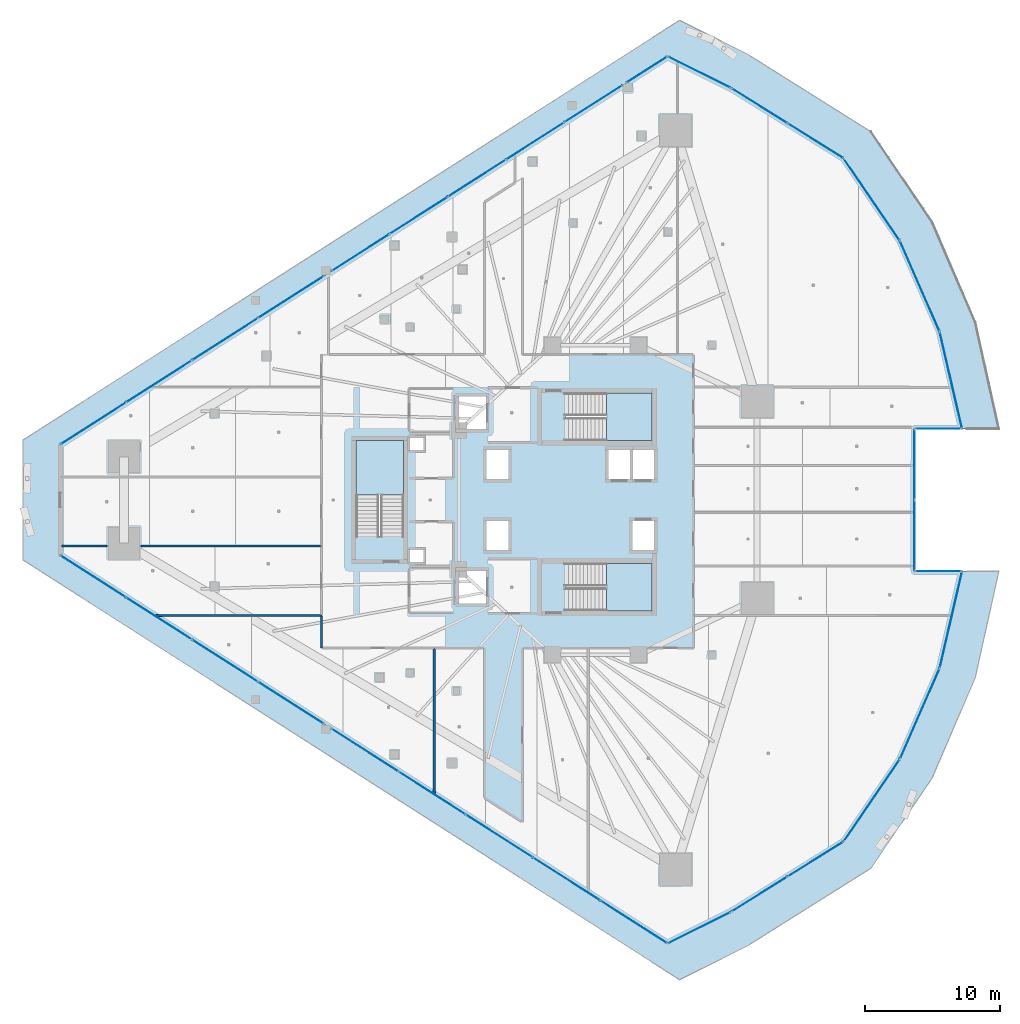
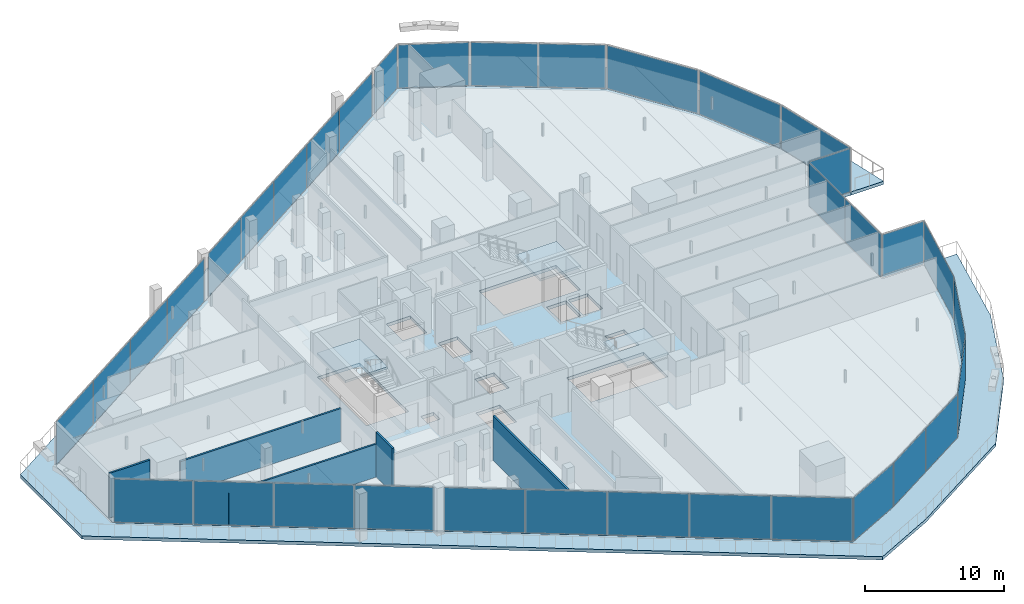
# One storey, part 27 of 44: 35 plates, 5 slabs, 5 walls, 21 elements without a shape of their own.
"""IFC4 building model written with IfcOpenShell, lengths in metres."""

from ifc_helpers import new_model, si_unit, direction, frame, frame_2d, origin, origin_2d, place, context, subcontext, project, spatial, polyline, rectangle, outline, extrude, material, layer, layer_set, type_object, element, aggregate, save


model = new_model("IFC4")

# Units and contexts
model_context = context("Model", 3, precision=1e-05, world=origin(), true_north=direction((0.0, 1.0)))
body_context = subcontext(model_context, "Body", "Model", "MODEL_VIEW")
ifc_project = project(units=[si_unit("LENGTHUNIT", "METRE"), si_unit("AREAUNIT", "SQUARE_METRE"), si_unit("VOLUMEUNIT", "CUBIC_METRE"), si_unit("PLANEANGLEUNIT", "RADIAN"), si_unit("MASSUNIT", "GRAM", prefix="KILO")], contexts=[model_context])

# Site, building, storey
site_placement = place(None, origin())
site = spatial("IfcSite", under=ifc_project, at=site_placement, CompositionType="ELEMENT")
building_placement = place(site_placement, origin())
building = spatial("IfcBuilding", under=site, at=building_placement, Name="Qorvath Tower", CompositionType="ELEMENT")
storey_placement = place(building_placement, frame((0.0, 0.0, 57.60009765625)))
storey = spatial("IfcBuildingStorey", under=building, at=storey_placement, Name="L12", CompositionType="ELEMENT", Elevation=57.60009765625)

# Curtain wall, plates
ifc_material_1 = material(Name="Anodised aluminium and triple low-E glass", Category="aluminium")
ifc_layer_1 = layer(ifc_material_1, 0.179931640625)
ifc_layer_set_1 = layer_set([ifc_layer_1], Name="CW-SYS-2")
curtain_wall_type = type_object("IfcCurtainWallType", Name="CW-SYS-2", PredefinedType="NOTDEFINED", material=ifc_layer_set_1)
curtain_wall_1_placement = place(storey_placement, origin())
curtain_wall_1 = element("IfcCurtainWall", 1, at=curtain_wall_1_placement, inside=storey, type_object=curtain_wall_type, Name="Curtain Wall CW-2 CW-T-L12-2.1", PredefinedType="NOTDEFINED")
ifc_material_2 = material(Name="Low-E triple insulated glass", Category="glass")
ifc_layer_2 = layer(ifc_material_2, 0.031982421875)
ifc_layer_set_2 = layer_set([ifc_layer_2], Name="CWP-GLZ-32")
plate_type = type_object("IfcPlateType", Name="CWP-GLZ-32", PredefinedType="CURTAIN_PANEL", material=ifc_layer_set_2)
plate_1_placement = place(storey_placement, frame((-57.543212890625, -5.67236328125, 0.06494140625), z_axis=(0.0, 0.0, 1.0), x_axis=(0.842606588458, -0.53852960651, 0.0)))
plate_1 = element("IfcPlate", 2, at=plate_1_placement, type_object=plate_type, Name="CW-2 panel 1.1", PredefinedType="CURTAIN_PANEL", context=body_context, shape_type="SweptSolid", body=[
    extrude(rectangle(XDim=5.697265625, YDim=0.031982421875, at=origin_2d()), origin(), (0.0, 0.0, 1.0), 3.789794921875),
])
plate_2_placement = place(storey_placement, frame((-52.67431640625, -8.7841796875, 0.06494140625), z_axis=(0.0, 0.0, 1.0), x_axis=(0.842606588458, -0.53852960651, 0.0)))
plate_2 = element("IfcPlate", 3, at=plate_2_placement, type_object=plate_type, Name="CW-2 panel 2.1", PredefinedType="CURTAIN_PANEL", context=body_context, shape_type="SweptSolid", body=[
    extrude(rectangle(XDim=5.729736328125, YDim=0.031982421875, at=origin_2d()), origin(), (0.0, 0.0, 1.0), 3.789794921875),
])
plate_3_placement = place(storey_placement, frame((-47.791748046875, -11.90478515625, 0.06494140625), z_axis=(0.0, 0.0, 1.0), x_axis=(0.842606588458, -0.53852960651, 0.0)))
plate_3 = element("IfcPlate", 4, at=plate_3_placement, type_object=plate_type, Name="CW-2 panel 3.1", PredefinedType="CURTAIN_PANEL", context=body_context, shape_type="SweptSolid", body=[
    extrude(rectangle(XDim=5.729736328125, YDim=0.031982421875, at=origin_2d()), origin(), (0.0, 0.0, 1.0), 3.789794921875),
])
plate_4_placement = place(storey_placement, frame((-42.9228515625, -15.0166015625, 0.06494140625), z_axis=(0.0, 0.0, 1.0), x_axis=(0.842606588458, -0.53852960651, 0.0)))
plate_4 = element("IfcPlate", 5, at=plate_4_placement, type_object=plate_type, Name="CW-2 panel 4.1", PredefinedType="CURTAIN_PANEL", context=body_context, shape_type="SweptSolid", body=[
    extrude(rectangle(XDim=5.697265625, YDim=0.031982421875, at=origin_2d()), origin(), (0.0, 0.0, 1.0), 3.789794921875),
])
aggregate(curtain_wall_1, [plate_1, plate_2, plate_3, plate_4])

curtain_wall_2_placement = place(storey_placement, origin())
curtain_wall_2 = element("IfcCurtainWall", 6, at=curtain_wall_2_placement, inside=storey, type_object=curtain_wall_type, Name="Curtain Wall CW-2 CW-T-L12-2.2", PredefinedType="NOTDEFINED")
plate_5_placement = place(storey_placement, frame((-37.458251953125, -18.50927734375, 0.06494140625), z_axis=(0.0, 0.0, 1.0), x_axis=(0.842602311918, -0.538536297709, 0.0)))
plate_5 = element("IfcPlate", 7, at=plate_5_placement, type_object=plate_type, Name="CW-2 panel 1.1", PredefinedType="CURTAIN_PANEL", context=body_context, shape_type="SweptSolid", body=[
    extrude(rectangle(XDim=5.813720703125, YDim=0.031982421875, at=origin_2d()), origin(), (0.0, 0.0, 1.0), 3.789794921875),
])
plate_6_placement = place(storey_placement, frame((-32.4912109375, -21.683837890625, 0.06494140625), z_axis=(0.0, 0.0, 1.0), x_axis=(0.842602311918, -0.538536297709, 0.0)))
plate_6 = element("IfcPlate", 8, at=plate_6_placement, type_object=plate_type, Name="CW-2 panel 2.1", PredefinedType="CURTAIN_PANEL", context=body_context, shape_type="SweptSolid", body=[
    extrude(rectangle(XDim=5.84619140625, YDim=0.031982421875, at=origin_2d()), origin(), (0.0, 0.0, 1.0), 3.789794921875),
])
plate_7_placement = place(storey_placement, frame((-27.51025390625, -24.8671875, 0.06494140625), z_axis=(0.0, 0.0, 1.0), x_axis=(0.842602311918, -0.538536297709, 0.0)))
plate_7 = element("IfcPlate", 9, at=plate_7_placement, type_object=plate_type, Name="CW-2 panel 3.1", PredefinedType="CURTAIN_PANEL", context=body_context, shape_type="SweptSolid", body=[
    extrude(rectangle(XDim=5.84619140625, YDim=0.031982421875, at=origin_2d()), origin(), (0.0, 0.0, 1.0), 3.789794921875),
])
plate_8_placement = place(storey_placement, frame((-22.529296875, -28.05078125, 0.06494140625), z_axis=(0.0, 0.0, 1.0), x_axis=(0.842602311918, -0.538536297709, 0.0)))
plate_8 = element("IfcPlate", 10, at=plate_8_placement, type_object=plate_type, Name="CW-2 panel 4.1", PredefinedType="CURTAIN_PANEL", context=body_context, shape_type="SweptSolid", body=[
    extrude(rectangle(XDim=5.84619140625, YDim=0.031982421875, at=origin_2d()), origin(), (0.0, 0.0, 1.0), 3.789794921875),
])
plate_9_placement = place(storey_placement, frame((-17.562255859375, -31.225341796875, 0.06494140625), z_axis=(0.0, 0.0, 1.0), x_axis=(0.842602311918, -0.538536297709, 0.0)))
plate_9 = element("IfcPlate", 11, at=plate_9_placement, type_object=plate_type, Name="CW-2 panel 5.1", PredefinedType="CURTAIN_PANEL", context=body_context, shape_type="SweptSolid", body=[
    extrude(rectangle(XDim=5.813720703125, YDim=0.031982421875, at=origin_2d()), origin(), (0.0, 0.0, 1.0), 3.789794921875),
])
aggregate(curtain_wall_2, [plate_5, plate_6, plate_7, plate_8, plate_9])

# Curtain wall, plate
curtain_wall_3_placement = place(storey_placement, origin())
curtain_wall_3 = element("IfcCurtainWall", 12, at=curtain_wall_3_placement, inside=storey, type_object=curtain_wall_type, Name="Curtain Wall CW-2 CW-T-L12-3.1", PredefinedType="NOTDEFINED")
plate_10_placement = place(storey_placement, frame((-12.71337890625, -31.653564453125, 0.06494140625), z_axis=(0.0, 0.0, 1.0), x_axis=(0.894427191001, 0.447213595499, 0.0)))
plate_10 = element("IfcPlate", 13, at=plate_10_placement, type_object=plate_type, Name="CW-2 panel 1.1", PredefinedType="CURTAIN_PANEL", context=body_context, shape_type="SweptSolid", body=[
    extrude(rectangle(XDim=5.11279296875, YDim=0.031982421875, at=origin_2d()), origin(), (0.0, 0.0, 1.0), 3.789794921875),
])
aggregate(curtain_wall_3, [plate_10])

# Curtain wall, plates
curtain_wall_4_placement = place(storey_placement, origin())
curtain_wall_4 = element("IfcCurtainWall", 14, at=curtain_wall_4_placement, inside=storey, type_object=curtain_wall_type, Name="Curtain Wall CW-2 CW-T-L12-4.1", PredefinedType="NOTDEFINED")
plate_11_placement = place(storey_placement, frame((-8.270263671875, -29.170654296875, 0.06494140625), z_axis=(0.0, 0.0, 1.0), x_axis=(0.848190261001, 0.529691684986, 0.0)))
plate_11 = element("IfcPlate", 15, at=plate_11_placement, type_object=plate_type, Name="CW-2 panel 1.1", PredefinedType="CURTAIN_PANEL", context=body_context, shape_type="SweptSolid", body=[
    extrude(rectangle(XDim=4.81787109375, YDim=0.031982421875, at=origin_2d()), origin(), (0.0, 0.0, 1.0), 3.789794921875),
])
plate_12_placement = place(storey_placement, frame((-4.128662109375, -26.584228515625, 0.06494140625), z_axis=(0.0, 0.0, 1.0), x_axis=(0.848190261001, 0.529691684986, 0.0)))
plate_12 = element("IfcPlate", 16, at=plate_12_placement, type_object=plate_type, Name="CW-2 panel 2.1", PredefinedType="CURTAIN_PANEL", context=body_context, shape_type="SweptSolid", body=[
    extrude(rectangle(XDim=4.81787109375, YDim=0.031982421875, at=origin_2d()), origin(), (0.0, 0.0, 1.0), 3.789794921875),
])
aggregate(curtain_wall_4, [plate_11, plate_12])

# Curtain wall, plate
curtain_wall_5_placement = place(storey_placement, origin())
curtain_wall_5 = element("IfcCurtainWall", 17, at=curtain_wall_5_placement, inside=storey, type_object=curtain_wall_type, Name="Curtain Wall CW-2 CW-T-L12-5.1", PredefinedType="NOTDEFINED")
plate_13_placement = place(storey_placement, frame((0.04638671875, -22.23291015625, 0.06494140625), z_axis=(0.0, 0.0, 1.0), x_axis=(0.563950127903, 0.825808847881, 0.0)))
plate_13 = element("IfcPlate", 18, at=plate_13_placement, type_object=plate_type, Name="CW-2 panel 1.1", PredefinedType="CURTAIN_PANEL", context=body_context, shape_type="SweptSolid", body=[
    extrude(rectangle(XDim=7.234619140625, YDim=0.031982421875, at=origin_2d()), origin(), (0.0, 0.0, 1.0), 3.789794921875),
])
aggregate(curtain_wall_5, [plate_13])

curtain_wall_6_placement = place(storey_placement, origin())
curtain_wall_6 = element("IfcCurtainWall", 19, at=curtain_wall_6_placement, inside=storey, type_object=curtain_wall_type, Name="Curtain Wall CW-2 CW-T-L12-6.1", PredefinedType="NOTDEFINED")
plate_14_placement = place(storey_placement, frame((3.6005859375, -15.8193359375, 0.06494140625), z_axis=(0.0, 0.0, 1.0), x_axis=(0.40126327682, 0.915962762712, 0.0)))
plate_14 = element("IfcPlate", 20, at=plate_14_placement, type_object=plate_type, Name="CW-2 panel 1.1", PredefinedType="CURTAIN_PANEL", context=body_context, shape_type="SweptSolid", body=[
    extrude(rectangle(XDim=7.234375, YDim=0.031982421875, at=origin_2d()), origin(), (0.0, 0.0, 1.0), 3.789794921875),
])
aggregate(curtain_wall_6, [plate_14])

curtain_wall_7_placement = place(storey_placement, origin())
curtain_wall_7 = element("IfcCurtainWall", 21, at=curtain_wall_7_placement, inside=storey, type_object=curtain_wall_type, Name="Curtain Wall CW-2 CW-T-L12-7.1", PredefinedType="NOTDEFINED")
plate_15_placement = place(storey_placement, frame((5.905517578125, -8.8583984375, 0.06494140625), z_axis=(0.0, 0.0, 1.0), x_axis=(0.224704795149, 0.974426885424, 0.0)))
plate_15 = element("IfcPlate", 22, at=plate_15_placement, type_object=plate_type, Name="CW-2 panel 1.1", PredefinedType="CURTAIN_PANEL", context=body_context, shape_type="SweptSolid", body=[
    extrude(rectangle(XDim=7.234375, YDim=0.031982421875, at=origin_2d()), origin(), (0.0, 0.0, 1.0), 3.789794921875),
])
aggregate(curtain_wall_7, [plate_15])

curtain_wall_8_placement = place(storey_placement, origin())
curtain_wall_8 = element("IfcCurtainWall", 23, at=curtain_wall_8_placement, inside=storey, type_object=curtain_wall_type, Name="Curtain Wall CW-2 CW-T-L12-8.1", PredefinedType="NOTDEFINED")
plate_16_placement = place(storey_placement, frame((4.976318359375, -5.2705078125, 0.06494140625), z_axis=(0.0, 0.0, 1.0), x_axis=(-1.0, 0.0, 0.0)))
plate_16 = element("IfcPlate", 24, at=plate_16_placement, type_object=plate_type, Name="CW-2 panel 1.1", PredefinedType="CURTAIN_PANEL", context=body_context, shape_type="SweptSolid", body=[
    extrude(rectangle(XDim=3.38330078125, YDim=0.031982421875, at=origin_2d()), origin(), (0.0, 0.0, 1.0), 3.789794921875),
])
aggregate(curtain_wall_8, [plate_16])

# Curtain wall, plates
curtain_wall_9_placement = place(storey_placement, origin())
curtain_wall_9 = element("IfcCurtainWall", 25, at=curtain_wall_9_placement, inside=storey, type_object=curtain_wall_type, Name="Curtain Wall CW-2 CW-T-L12-9.1", PredefinedType="NOTDEFINED")
plate_17_placement = place(storey_placement, frame((3.219482421875, -2.618896484375, 0.06494140625), z_axis=(0.0, 0.0, 1.0), x_axis=(0.0, 1.0, 0.0)))
plate_17 = element("IfcPlate", 26, at=plate_17_placement, type_object=plate_type, Name="CW-2 panel 1.1", PredefinedType="CURTAIN_PANEL", context=body_context, shape_type="SweptSolid", body=[
    extrude(rectangle(XDim=5.173095703125, YDim=0.031982421875, at=origin_2d()), origin(), (0.0, 0.0, 1.0), 3.789794921875),
])
plate_18_placement = place(storey_placement, frame((3.219482421875, 2.618896484375, 0.06494140625), z_axis=(0.0, 0.0, 1.0), x_axis=(0.0, 1.0, 0.0)))
plate_18 = element("IfcPlate", 27, at=plate_18_placement, type_object=plate_type, Name="CW-2 panel 2.1", PredefinedType="CURTAIN_PANEL", context=body_context, shape_type="SweptSolid", body=[
    extrude(rectangle(XDim=5.173095703125, YDim=0.031982421875, at=origin_2d()), origin(), (0.0, 0.0, 1.0), 3.789794921875),
])
aggregate(curtain_wall_9, [plate_17, plate_18])

# Curtain wall, plate
curtain_wall_10_placement = place(storey_placement, origin())
curtain_wall_10 = element("IfcCurtainWall", 28, at=curtain_wall_10_placement, inside=storey, type_object=curtain_wall_type, Name="Curtain Wall CW-2 CW-T-L12-10.1", PredefinedType="NOTDEFINED")
plate_19_placement = place(storey_placement, frame((4.976318359375, 5.2705078125, 0.06494140625), z_axis=(0.0, 0.0, 1.0), x_axis=(1.0, 0.0, 0.0)))
plate_19 = element("IfcPlate", 29, at=plate_19_placement, type_object=plate_type, Name="CW-2 panel 1.1", PredefinedType="CURTAIN_PANEL", context=body_context, shape_type="SweptSolid", body=[
    extrude(rectangle(XDim=3.38330078125, YDim=0.031982421875, at=origin_2d()), origin(), (0.0, 0.0, 1.0), 3.789794921875),
])
aggregate(curtain_wall_10, [plate_19])

curtain_wall_11_placement = place(storey_placement, origin())
curtain_wall_11 = element("IfcCurtainWall", 30, at=curtain_wall_11_placement, inside=storey, type_object=curtain_wall_type, Name="Curtain Wall CW-2 CW-T-L12-11.1", PredefinedType="NOTDEFINED")
plate_20_placement = place(storey_placement, frame((5.905517578125, 8.8583984375, 0.06494140625), z_axis=(0.0, 0.0, 1.0), x_axis=(-0.224704795149, 0.974426885424, 0.0)))
plate_20 = element("IfcPlate", 31, at=plate_20_placement, type_object=plate_type, Name="CW-2 panel 1.1", PredefinedType="CURTAIN_PANEL", context=body_context, shape_type="SweptSolid", body=[
    extrude(rectangle(XDim=7.234375, YDim=0.031982421875, at=origin_2d()), origin(), (0.0, 0.0, 1.0), 3.789794921875),
])
aggregate(curtain_wall_11, [plate_20])

curtain_wall_12_placement = place(storey_placement, origin())
curtain_wall_12 = element("IfcCurtainWall", 32, at=curtain_wall_12_placement, inside=storey, type_object=curtain_wall_type, Name="Curtain Wall CW-2 CW-T-L12-12.1", PredefinedType="NOTDEFINED")
plate_21_placement = place(storey_placement, frame((3.6005859375, 15.8193359375, 0.06494140625), z_axis=(0.0, 0.0, 1.0), x_axis=(-0.40126327682, 0.915962762712, 0.0)))
plate_21 = element("IfcPlate", 33, at=plate_21_placement, type_object=plate_type, Name="CW-2 panel 1.1", PredefinedType="CURTAIN_PANEL", context=body_context, shape_type="SweptSolid", body=[
    extrude(rectangle(XDim=7.234375, YDim=0.031982421875, at=origin_2d()), origin(), (0.0, 0.0, 1.0), 3.789794921875),
])
aggregate(curtain_wall_12, [plate_21])

curtain_wall_13_placement = place(storey_placement, origin())
curtain_wall_13 = element("IfcCurtainWall", 34, at=curtain_wall_13_placement, inside=storey, type_object=curtain_wall_type, Name="Curtain Wall CW-2 CW-T-L12-13.1", PredefinedType="NOTDEFINED")
plate_22_placement = place(storey_placement, frame((0.04638671875, 22.23291015625, 0.06494140625), z_axis=(0.0, 0.0, 1.0), x_axis=(-0.563950127903, 0.825808847881, 0.0)))
plate_22 = element("IfcPlate", 35, at=plate_22_placement, type_object=plate_type, Name="CW-2 panel 1.1", PredefinedType="CURTAIN_PANEL", context=body_context, shape_type="SweptSolid", body=[
    extrude(rectangle(XDim=7.234619140625, YDim=0.031982421875, at=origin_2d()), origin(), (0.0, 0.0, 1.0), 3.789794921875),
])
aggregate(curtain_wall_13, [plate_22])

# Curtain wall, plates
curtain_wall_14_placement = place(storey_placement, origin())
curtain_wall_14 = element("IfcCurtainWall", 36, at=curtain_wall_14_placement, inside=storey, type_object=curtain_wall_type, Name="Curtain Wall CW-2 CW-T-L12-14.1", PredefinedType="NOTDEFINED")
plate_23_placement = place(storey_placement, frame((-4.128662109375, 26.584228515625, 0.06494140625), z_axis=(0.0, 0.0, 1.0), x_axis=(-0.848190261001, 0.529691684986, 0.0)))
plate_23 = element("IfcPlate", 37, at=plate_23_placement, type_object=plate_type, Name="CW-2 panel 1.1", PredefinedType="CURTAIN_PANEL", context=body_context, shape_type="SweptSolid", body=[
    extrude(rectangle(XDim=4.81787109375, YDim=0.031982421875, at=origin_2d()), origin(), (0.0, 0.0, 1.0), 3.789794921875),
])
plate_24_placement = place(storey_placement, frame((-8.270263671875, 29.170654296875, 0.06494140625), z_axis=(0.0, 0.0, 1.0), x_axis=(-0.848190261001, 0.529691684986, 0.0)))
plate_24 = element("IfcPlate", 38, at=plate_24_placement, type_object=plate_type, Name="CW-2 panel 2.1", PredefinedType="CURTAIN_PANEL", context=body_context, shape_type="SweptSolid", body=[
    extrude(rectangle(XDim=4.81787109375, YDim=0.031982421875, at=origin_2d()), origin(), (0.0, 0.0, 1.0), 3.789794921875),
])
aggregate(curtain_wall_14, [plate_23, plate_24])

# Curtain wall, plate
curtain_wall_15_placement = place(storey_placement, origin())
curtain_wall_15 = element("IfcCurtainWall", 39, at=curtain_wall_15_placement, inside=storey, type_object=curtain_wall_type, Name="Curtain Wall CW-2 CW-T-L12-15.1", PredefinedType="NOTDEFINED")
plate_25_placement = place(storey_placement, frame((-12.71337890625, 31.653564453125, 0.06494140625), z_axis=(0.0, 0.0, 1.0), x_axis=(-0.894427191001, 0.447213595499, 0.0)))
plate_25 = element("IfcPlate", 40, at=plate_25_placement, type_object=plate_type, Name="CW-2 panel 1.1", PredefinedType="CURTAIN_PANEL", context=body_context, shape_type="SweptSolid", body=[
    extrude(rectangle(XDim=5.11279296875, YDim=0.031982421875, at=origin_2d()), origin(), (0.0, 0.0, 1.0), 3.789794921875),
])
aggregate(curtain_wall_15, [plate_25])

curtain_wall_16_placement = place(storey_placement, origin())
curtain_wall_16 = element("IfcCurtainWall", 41, at=curtain_wall_16_placement, inside=storey, type_object=curtain_wall_type, Name="Curtain Wall CW-2 CW-T-L12-16.1", PredefinedType="NOTDEFINED")
plate_26_placement = place(storey_placement, frame((-16.588134765625, 31.847900390625, 0.06494140625), z_axis=(0.0, 0.0, 1.0), x_axis=(-0.842620257826, -0.53850821823, 0.0)))
plate_26 = element("IfcPlate", 42, at=plate_26_placement, type_object=plate_type, Name="CW-2 panel 1.1", PredefinedType="CURTAIN_PANEL", context=body_context, shape_type="SweptSolid", body=[
    extrude(rectangle(XDim=3.501953125, YDim=0.031982421875, at=origin_2d()), origin(), (0.0, 0.0, 1.0), 3.789794921875),
])
aggregate(curtain_wall_16, [plate_26])

# Curtain wall, plates
curtain_wall_17_placement = place(storey_placement, origin())
curtain_wall_17 = element("IfcCurtainWall", 43, at=curtain_wall_17_placement, inside=storey, type_object=curtain_wall_type, Name="Curtain Wall CW-2 CW-T-L12-16.2", PredefinedType="NOTDEFINED")
plate_27_placement = place(storey_placement, frame((-20.54296875, 29.3203125, 0.06494140625), z_axis=(0.0, 0.0, 1.0), x_axis=(-0.842600296435, -0.538539451152, 0.0)))
plate_27 = element("IfcPlate", 44, at=plate_27_placement, type_object=plate_type, Name="CW-2 panel 1.1", PredefinedType="CURTAIN_PANEL", context=body_context, shape_type="SweptSolid", body=[
    extrude(rectangle(XDim=5.027587890625, YDim=0.031982421875, at=origin_2d()), origin(), (0.0, 0.0, 1.0), 3.789794921875),
])
plate_28_placement = place(storey_placement, frame((-24.847900390625, 26.569091796875, 0.06494140625), z_axis=(0.0, 0.0, 1.0), x_axis=(-0.842600296435, -0.538539451152, 0.0)))
plate_28 = element("IfcPlate", 45, at=plate_28_placement, type_object=plate_type, Name="CW-2 panel 2.1", PredefinedType="CURTAIN_PANEL", context=body_context, shape_type="SweptSolid", body=[
    extrude(rectangle(XDim=5.06005859375, YDim=0.031982421875, at=origin_2d()), origin(), (0.0, 0.0, 1.0), 3.789794921875),
])
plate_29_placement = place(storey_placement, frame((-29.166259765625, 23.808837890625, 0.06494140625), z_axis=(0.0, 0.0, 1.0), x_axis=(-0.842600296435, -0.538539451152, 0.0)))
plate_29 = element("IfcPlate", 46, at=plate_29_placement, type_object=plate_type, Name="CW-2 panel 3.1", PredefinedType="CURTAIN_PANEL", context=body_context, shape_type="SweptSolid", body=[
    extrude(rectangle(XDim=5.06005859375, YDim=0.031982421875, at=origin_2d()), origin(), (0.0, 0.0, 1.0), 3.789794921875),
])
plate_30_placement = place(storey_placement, frame((-33.484619140625, 21.048828125, 0.06494140625), z_axis=(0.0, 0.0, 1.0), x_axis=(-0.842600296435, -0.538539451152, 0.0)))
plate_30 = element("IfcPlate", 47, at=plate_30_placement, type_object=plate_type, Name="CW-2 panel 4.1", PredefinedType="CURTAIN_PANEL", context=body_context, shape_type="SweptSolid", body=[
    extrude(rectangle(XDim=5.06005859375, YDim=0.031982421875, at=origin_2d()), origin(), (0.0, 0.0, 1.0), 3.789794921875),
])
plate_31_placement = place(storey_placement, frame((-37.78955078125, 18.297607421875, 0.06494140625), z_axis=(0.0, 0.0, 1.0), x_axis=(-0.842600296435, -0.538539451152, 0.0)))
plate_31 = element("IfcPlate", 48, at=plate_31_placement, type_object=plate_type, Name="CW-2 panel 5.1", PredefinedType="CURTAIN_PANEL", context=body_context, shape_type="SweptSolid", body=[
    extrude(rectangle(XDim=5.027587890625, YDim=0.031982421875, at=origin_2d()), origin(), (0.0, 0.0, 1.0), 3.789794921875),
])
aggregate(curtain_wall_17, [plate_27, plate_28, plate_29, plate_30, plate_31])

curtain_wall_18_placement = place(storey_placement, origin())
curtain_wall_18 = element("IfcCurtainWall", 49, at=curtain_wall_18_placement, inside=storey, type_object=curtain_wall_type, Name="Curtain Wall CW-2 CW-T-L12-16.3", PredefinedType="NOTDEFINED")
plate_32_placement = place(storey_placement, frame((-42.9228515625, 15.0166015625, 0.06494140625), z_axis=(0.0, 0.0, 1.0), x_axis=(-0.842606588458, -0.53852960651, 0.0)))
plate_32 = element("IfcPlate", 50, at=plate_32_placement, type_object=plate_type, Name="CW-2 panel 1.1", PredefinedType="CURTAIN_PANEL", context=body_context, shape_type="SweptSolid", body=[
    extrude(rectangle(XDim=5.697265625, YDim=0.031982421875, at=origin_2d()), origin(), (0.0, 0.0, 1.0), 3.789794921875),
])
plate_33_placement = place(storey_placement, frame((-47.791748046875, 11.90478515625, 0.06494140625), z_axis=(0.0, 0.0, 1.0), x_axis=(-0.842606588458, -0.53852960651, 0.0)))
plate_33 = element("IfcPlate", 51, at=plate_33_placement, type_object=plate_type, Name="CW-2 panel 2.1", PredefinedType="CURTAIN_PANEL", context=body_context, shape_type="SweptSolid", body=[
    extrude(rectangle(XDim=5.729736328125, YDim=0.031982421875, at=origin_2d()), origin(), (0.0, 0.0, 1.0), 3.789794921875),
])
plate_34_placement = place(storey_placement, frame((-52.67431640625, 8.7841796875, 0.06494140625), z_axis=(0.0, 0.0, 1.0), x_axis=(-0.842606588458, -0.53852960651, 0.0)))
plate_34 = element("IfcPlate", 52, at=plate_34_placement, type_object=plate_type, Name="CW-2 panel 3.1", PredefinedType="CURTAIN_PANEL", context=body_context, shape_type="SweptSolid", body=[
    extrude(rectangle(XDim=5.729736328125, YDim=0.031982421875, at=origin_2d()), origin(), (0.0, 0.0, 1.0), 3.789794921875),
])
plate_35_placement = place(storey_placement, frame((-57.543212890625, 5.67236328125, 0.06494140625), z_axis=(0.0, 0.0, 1.0), x_axis=(-0.842606588458, -0.53852960651, 0.0)))
plate_35 = element("IfcPlate", 53, at=plate_35_placement, type_object=plate_type, Name="CW-2 panel 4.1", PredefinedType="CURTAIN_PANEL", context=body_context, shape_type="SweptSolid", body=[
    extrude(rectangle(XDim=5.697265625, YDim=0.031982421875, at=origin_2d()), origin(), (0.0, 0.0, 1.0), 3.789794921875),
])
aggregate(curtain_wall_18, [plate_32, plate_33, plate_34, plate_35])

# Stair, slab
ifc_material_3 = material(Name="Concrete C50/60", Category="concrete")
stair_type = type_object("IfcStairType", Name="ST-H420", PredefinedType="HALF_TURN_STAIR", material=ifc_material_3)
stair_1_placement = place(storey_placement, origin())
stair_1 = element("IfcStair", 54, at=stair_1_placement, inside=storey, type_object=stair_type, Name="L12 Tower Exit Stair 1", PredefinedType="HALF_TURN_STAIR")
ifc_material_4 = material(Name="Concrete C50/60", Category="concrete")
ifc_layer_3 = layer(ifc_material_4, 0.199951171875)
ifc_layer_set_3 = layer_set([ifc_layer_3], Name="SL-LND-200")
slab_type_1 = type_object("IfcSlabType", Name="SL-LND-200", PredefinedType="LANDING", material=ifc_layer_set_3)
slab_1_placement = place(storey_placement, frame((0.0, 0.0, 1.89990234375)))
slab_1 = element("IfcSlab", 55, at=slab_1_placement, type_object=slab_type_1, Name="TS1 landing 1", PredefinedType="LANDING", context=body_context, shape_type="SweptSolid", body=[
    extrude(outline(polyline([(-19.590087890625, 4.39990234375), (-16.199951171875, 4.39990234375), (-16.199951171875, 7.909912109375), (-19.590087890625, 7.909912109375), (-19.590087890625, 4.39990234375)])), origin(), (0.0, 0.0, 1.0), 0.199951171875),
])
aggregate(stair_1, [slab_1])

stair_2_placement = place(storey_placement, origin())
stair_2 = element("IfcStair", 56, at=stair_2_placement, inside=storey, type_object=stair_type, Name="L12 Tower Exit Stair 2", PredefinedType="HALF_TURN_STAIR")
slab_2_placement = place(storey_placement, frame((0.0, 0.0, 1.89990234375)))
slab_2 = element("IfcSlab", 57, at=slab_2_placement, type_object=slab_type_1, Name="TS2 landing 1", PredefinedType="LANDING", context=body_context, shape_type="SweptSolid", body=[
    extrude(outline(polyline([(-19.590087890625, -8.199951171875), (-16.199951171875, -8.199951171875), (-16.199951171875, -4.68994140625), (-19.590087890625, -4.68994140625), (-19.590087890625, -8.199951171875)])), origin(), (0.0, 0.0, 1.0), 0.199951171875),
])
aggregate(stair_2, [slab_2])

stair_3_placement = place(storey_placement, origin())
stair_3 = element("IfcStair", 58, at=stair_3_placement, inside=storey, type_object=stair_type, Name="L12 Tower Exit Stair 3", PredefinedType="HALF_TURN_STAIR")
slab_3_placement = place(storey_placement, frame((0.0, 0.0, 1.89990234375)))
slab_3 = element("IfcSlab", 59, at=slab_3_placement, type_object=slab_type_1, Name="TS3 landing 1", PredefinedType="LANDING", context=body_context, shape_type="SweptSolid", body=[
    extrude(outline(polyline([(-34.60009765625, 0.360107421875), (-34.60009765625, 4.39990234375), (-38.110107421875, 4.39990234375), (-38.110107421875, 0.360107421875), (-34.60009765625, 0.360107421875)])), origin(), (0.0, 0.0, 1.0), 0.199951171875),
])
aggregate(stair_3, [slab_3])

# Slabs
ifc_material_5 = material(Name="Precast concrete C45/55", Category="concrete")
ifc_layer_4 = layer(ifc_material_5, 0.280029296875)
ifc_layer_set_4 = layer_set([ifc_layer_4], Name="SL-LOG-280")
slab_type_2 = type_object("IfcSlabType", Name="SL-LOG-280", PredefinedType="FLOOR", material=ifc_layer_set_4)
slab_4_placement = place(storey_placement, frame((0.0, 0.0, -0.280029296875)))
element("IfcSlab", 60, at=slab_4_placement, inside=storey, type_object=slab_type_2, Name="Tower L12 Perimeter Loggia and Terrace Slab", PredefinedType="FLOOR", context=body_context, shape_type="SweptSolid", body=[
    extrude(outline(polyline([(-9.097900390625, 32.958984375), (-14.168701171875, 35.494140625), (-62.761962890625, 4.436767578125), (-62.761962890625, -4.436767578125), (-14.168701171875, -35.494140625), (-9.097900390625, -32.958984375), (-0.012939453125, -27.2451171875), (4.51318359375, -20.56298828125), (7.705078125, -13.150390625), (9.448974609375, -5.2705078125), (6.73291015625, -5.2705078125), (5.078125, -12.446533203125), (2.123046875, -19.192138671875), (-2.0302734375, -25.27392578125), (-10.36865234375, -30.481201171875), (-15.05810546875, -32.825927734375), (-59.998291015625, -4.103271484375), (-59.998291015625, 4.103271484375), (-15.05810546875, 32.825927734375), (-10.36865234375, 30.481201171875), (-2.0302734375, 25.27392578125), (2.123046875, 19.192138671875), (5.078125, 12.446533203125), (6.73291015625, 5.2705078125), (9.448974609375, 5.2705078125), (7.705078125, 13.150390625), (4.51318359375, 20.56298828125), (-0.012939453125, 27.2451171875), (-9.097900390625, 32.958984375)])), origin(), (0.0, 0.0, 1.0), 0.280029296875),
])
ifc_material_6 = material(Name="Concrete C45/55", Category="concrete")
ifc_layer_5 = layer(ifc_material_6, 0.280029296875)
ifc_layer_set_5 = layer_set([ifc_layer_5], Name="SL-TYP-280")
slab_type_3 = type_object("IfcSlabType", Name="SL-TYP-280", PredefinedType="FLOOR", material=ifc_layer_set_5)
slab_5_placement = place(storey_placement, frame((0.0, 0.0, -0.280029296875)))
element("IfcSlab", 61, at=slab_5_placement, inside=storey, type_object=slab_type_3, Name="Tower L12 Interior Floor Slab", PredefinedType="FLOOR", context=body_context, shape_type="SweptSolid", body=[
    extrude(outline(polyline([(-59.998291015625, 4.103271484375), (-59.998291015625, -4.103271484375), (-15.05810546875, -32.825927734375), (-10.36865234375, -30.481201171875), (-2.0302734375, -25.27392578125), (2.123046875, -19.192138671875), (5.078125, -12.446533203125), (6.73291015625, -5.2705078125), (3.219482421875, -5.2705078125), (3.219482421875, 5.2705078125), (6.73291015625, 5.2705078125), (5.078125, 12.446533203125), (2.123046875, 19.192138671875), (-2.0302734375, 25.27392578125), (-10.36865234375, 30.481201171875), (-15.05810546875, 32.825927734375), (-59.998291015625, 4.103271484375)]), holes=[polyline([(-17.64990234375, -3.699951171875), (-17.64990234375, -1.550048828125), (-16.050048828125, -1.550048828125), (-16.050048828125, -3.699951171875), (-17.64990234375, -3.699951171875)]), polyline([(-17.64990234375, 1.550048828125), (-17.64990234375, 3.699951171875), (-16.050048828125, 3.699951171875), (-16.050048828125, 1.550048828125), (-17.64990234375, 1.550048828125)]), polyline([(-16.2451171875, -8.199951171875), (-22.625, -8.199951171875), (-22.625, -4.68994140625), (-16.2451171875, -4.68994140625), (-16.2451171875, -8.199951171875)]), polyline([(-22.625, 4.39990234375), (-22.625, 7.909912109375), (-16.2451171875, 7.909912109375), (-16.2451171875, 4.39990234375), (-22.625, 4.39990234375)]), polyline([(-17.85009765625, 1.550048828125), (-19.449951171875, 1.550048828125), (-19.449951171875, 3.699951171875), (-17.85009765625, 3.699951171875), (-17.85009765625, 1.550048828125)]), polyline([(-28.449951171875, -3.699951171875), (-28.449951171875, -1.550048828125), (-26.85009765625, -1.550048828125), (-26.85009765625, -3.699951171875), (-28.449951171875, -3.699951171875)]), polyline([(-26.85009765625, 1.550048828125), (-28.449951171875, 1.550048828125), (-28.449951171875, 3.699951171875), (-26.85009765625, 3.699951171875), (-26.85009765625, 1.550048828125)]), polyline([(-28.5, -7.64990234375), (-30.5, -7.64990234375), (-30.5, -5.25), (-28.5, -5.25), (-28.5, -7.64990234375)]), polyline([(-30.5, 5.25), (-30.5, 7.64990234375), (-28.5, 7.64990234375), (-28.5, 5.25), (-30.5, 5.25)]), polyline([(-34.14990234375, -4.6201171875), (-34.14990234375, -3.64990234375), (-33.10009765625, -3.64990234375), (-33.10009765625, -4.6201171875), (-34.14990234375, -4.6201171875)]), polyline([(-34.14990234375, 3.64990234375), (-34.14990234375, 4.6201171875), (-33.10009765625, 4.6201171875), (-33.10009765625, 3.64990234375), (-34.14990234375, 3.64990234375)]), polyline([(-34.60009765625, -2.675048828125), (-38.110107421875, -2.675048828125), (-38.110107421875, 4.35498046875), (-34.60009765625, 4.35498046875), (-34.60009765625, -2.675048828125)])]), origin(), (0.0, 0.0, 1.0), 0.280029296875),
])

# Walls
ifc_material_7 = material(Name="Double acoustic gypsum board on steel studs", Category="steel")
ifc_layer_6 = layer(ifc_material_7, 0.159912109375)
ifc_layer_set_6 = layer_set([ifc_layer_6], Name="IW-ACOUSTIC-160")
wall_type = type_object("IfcWallType", Name="IW-ACOUSTIC-160", PredefinedType="PARTITIONING", material=ifc_layer_set_6)
wall_1_placement = place(storey_placement, frame((-40.657958984375, -8.574951171875, 0.0), z_axis=(0.0, 0.0, 1.0), x_axis=(0.0, -1.0, 0.0)))
element("IfcWall", 62, at=wall_1_placement, inside=storey, type_object=wall_type, Name="Interior Partition IW-T1-L12-035", PredefinedType="PARTITIONING", context=body_context, shape_type="SweptSolid", body=[
    extrude(rectangle(XDim=2.358154296875, YDim=0.159912109375, at=frame_2d((1.17919921875, 0.0))), origin(), (0.0, 0.0, 1.0), 3.919921875),
])
wall_2_placement = place(storey_placement, frame((-40.68310546875, -8.550048828125, 0.0), z_axis=(0.0, 0.0, 1.0), x_axis=(-0.999999290934, 0.001190853395, 0.0)))
element("IfcWall", 63, at=wall_2_placement, inside=storey, type_object=wall_type, Name="Interior Partition IW-T1-L12-036", PredefinedType="PARTITIONING", context=body_context, shape_type="SweptSolid", body=[
    extrude(rectangle(XDim=12.30078125, YDim=0.159912109375, at=frame_2d((6.150390625, 0.0))), origin(), (0.0, 0.0, 1.0), 2.889892578125),
])
wall_3_placement = place(storey_placement, frame((-32.32666015625, -21.708984375, 0.0), z_axis=(0.0, 0.0, 1.0), x_axis=(0.0, 1.0, 0.0)))
element("IfcWall", 64, at=wall_3_placement, inside=storey, type_object=wall_type, Name="Interior Partition IW-T1-L12-037", PredefinedType="PARTITIONING", context=body_context, shape_type="SweptSolid", body=[
    extrude(rectangle(XDim=10.72607421875, YDim=0.159912109375, at=frame_2d((5.363037109375, 0.0))), origin(), (0.0, 0.0, 1.0), 3.919921875),
])
wall_4_placement = place(storey_placement, frame((-40.68310546875, -3.40283203125, 0.0), z_axis=(0.0, 0.0, 1.0), x_axis=(-1.0, 0.0, 0.0)))
element("IfcWall", 65, at=wall_4_placement, inside=storey, type_object=wall_type, Name="Interior Partition IW-T1-L12-059", PredefinedType="PARTITIONING", context=body_context, shape_type="SweptSolid", body=[
    extrude(rectangle(XDim=13.334716796875, YDim=0.159912109375, at=frame_2d((6.66748046875, 0.0))), origin(), (0.0, 0.0, 1.0), 2.889892578125),
])
wall_5_placement = place(storey_placement, frame((-56.5478515625, -3.40283203125, 0.0), z_axis=(0.0, 0.0, 1.0), x_axis=(-1.0, 0.0, 0.0)))
element("IfcWall", 66, at=wall_5_placement, inside=storey, type_object=wall_type, Name="Interior Partition IW-T1-L12-060", PredefinedType="PARTITIONING", context=body_context, shape_type="SweptSolid", body=[
    extrude(rectangle(XDim=3.37060546875, YDim=0.159912109375, at=frame_2d((1.685302734375, 0.0))), origin(), (0.0, 0.0, 1.0), 3.919921875),
])

save(model, "model.ifc")
